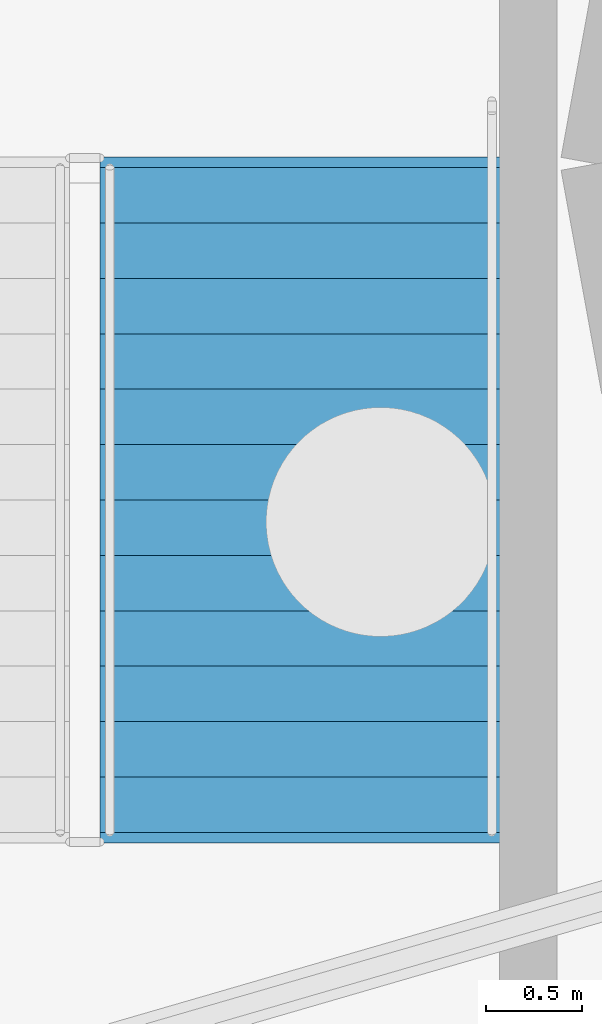
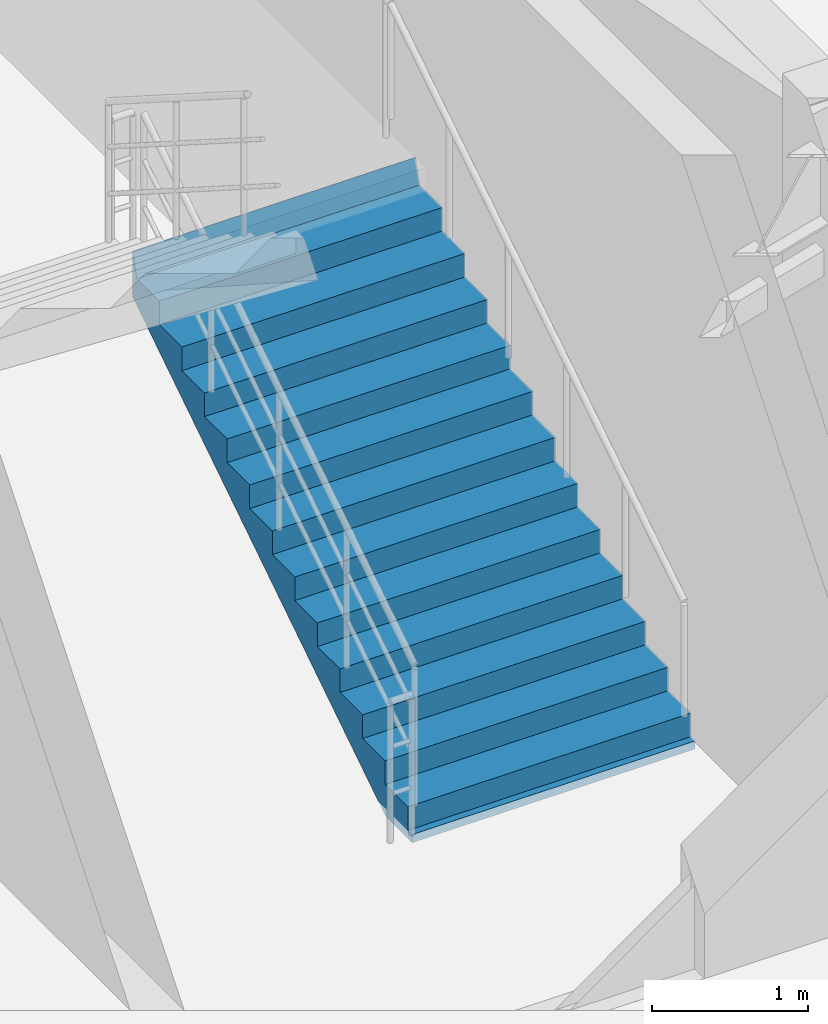
# One storey, part 49 of 68: 1 stair flight, 1 element without a shape of its own.
"""IFC4 building model written with IfcOpenShell, lengths in metres."""

from ifc_helpers import new_model, si_unit, direction, frame, origin, place, context, subcontext, project, spatial, polyline, outline, extrude, material, type_object, element, aggregate, save


model = new_model("IFC4")

# Units and contexts
model_context = context("Model", 3, precision=1e-05, world=origin(), true_north=direction((0.0, 1.0)))
body_context = subcontext(model_context, "Body", "Model", "MODEL_VIEW")
ifc_project = project(units=[si_unit("LENGTHUNIT", "METRE"), si_unit("AREAUNIT", "SQUARE_METRE"), si_unit("VOLUMEUNIT", "CUBIC_METRE"), si_unit("PLANEANGLEUNIT", "RADIAN"), si_unit("MASSUNIT", "GRAM", prefix="KILO")], contexts=[model_context])

# Site, building, storey
site_placement = place(None, origin())
site = spatial("IfcSite", under=ifc_project, at=site_placement, CompositionType="ELEMENT")
building_placement = place(site_placement, origin())
building = spatial("IfcBuilding", under=site, at=building_placement, Name="Cinderbank Siding Concert Hall", CompositionType="ELEMENT")
storey_placement = place(building_placement, frame((0.0, 0.0, -4.800048828125)))
storey = spatial("IfcBuildingStorey", under=building, at=storey_placement, Name="B1", CompositionType="ELEMENT", Elevation=-4.800048828125)

# Stair, stair flight
ifc_material = material(Name="Reinforced concrete AS 3600 N50 (50 MPa)", Category="concrete")
stair_type = type_object("IfcStairType", Name="STR-D Dogleg Exit Stair 2100mm", PredefinedType="HALF_TURN_STAIR", material=ifc_material)
stair_placement = place(storey_placement, origin())
stair = element("IfcStair", 1, at=stair_placement, inside=storey, type_object=stair_type, Name="B1 West Drum Exit Stair ST-04", PredefinedType="HALF_TURN_STAIR")
stair_flight_type = type_object("IfcStairFlightType", Name="SFL-D Concrete Stair Flight 2100mm", PredefinedType="STRAIGHT", material=ifc_material)
stair_flight_placement = place(storey_placement, frame((100.85009765625, 40.5, 0.0), z_axis=(0.0, 0.0, 1.0), x_axis=(0.0, 1.0, 0.0)))
stair_flight = element("IfcStairFlight", 2, at=stair_flight_placement, type_object=stair_flight_type, Name="ST-04 flight 1", NumberOfRisers=13, NumberOfTreads=12, PredefinedType="STRAIGHT", RiserHeight=0.184615385, TreadLength=0.29, context=body_context, shape_type="SweptSolid", body=[
    extrude(outline(polyline([(0.0, 0.0), (0.0, 0.1845703125), (0.2900390625, 0.1845703125), (0.2900390625, 0.369140625), (0.580078125, 0.369140625), (0.580078125, 0.553955078125), (0.8701171875, 0.553955078125), (0.8701171875, 0.738525390625), (1.159912109375, 0.738525390625), (1.159912109375, 0.923095703125), (1.449951171875, 0.923095703125), (1.449951171875, 1.107666015625), (1.739990234375, 1.107666015625), (1.739990234375, 1.292236328125), (2.030029296875, 1.292236328125), (2.030029296875, 1.476806640625), (2.320068359375, 1.476806640625), (2.320068359375, 1.66162109375), (2.610107421875, 1.66162109375), (2.610107421875, 1.84619140625), (2.89990234375, 1.84619140625), (2.89990234375, 2.03076171875), (3.18994140625, 2.03076171875), (3.18994140625, 2.21533203125), (3.47998046875, 2.21533203125), (3.534912109375, 2.39990234375), (3.534912109375, 2.03759765625), (3.53466796875, 2.037841796875), (3.53466796875, 2.0380859375), (3.53466796875, 2.038330078125), (3.53466796875, 2.03857421875), (3.53466796875, 2.038818359375), (3.53466796875, 2.0390625), (3.53466796875, 2.039306640625), (3.53466796875, 2.03955078125), (3.53466796875, 2.039794921875), (3.53466796875, 2.0400390625), (3.53466796875, 2.040283203125), (3.53466796875, 2.04052734375), (3.534423828125, 2.04052734375), (3.534423828125, 2.040283203125), (3.534423828125, 2.0400390625), (3.534423828125, 2.039794921875), (3.534423828125, 2.03955078125), (3.534423828125, 2.039306640625), (3.534423828125, 2.0390625), (3.534423828125, 2.038818359375), (3.534423828125, 2.03857421875), (3.534423828125, 2.038330078125), (3.534423828125, 2.0380859375), (3.534423828125, 2.037841796875), (3.534423828125, 2.03759765625), (3.5341796875, 2.037841796875), (3.5341796875, 2.0380859375), (3.5341796875, 2.038330078125), (3.5341796875, 2.03857421875), (3.5341796875, 2.038818359375), (3.5341796875, 2.0390625), (3.5341796875, 2.039306640625), (3.5341796875, 2.03955078125), (3.5341796875, 2.039794921875), (3.5341796875, 2.0400390625), (3.5341796875, 2.040283203125), (3.5341796875, 2.04052734375), (3.533935546875, 2.04052734375), (3.533935546875, 2.040283203125), (3.533935546875, 2.0400390625), (3.533935546875, 2.039794921875), (3.533935546875, 2.03955078125), (3.533935546875, 2.039306640625), (3.533935546875, 2.0390625), (3.533935546875, 2.038818359375), (3.533935546875, 2.03857421875), (3.533935546875, 2.038330078125), (3.533935546875, 2.0380859375), (3.533935546875, 2.037841796875), (3.533935546875, 2.03759765625), (3.53369140625, 2.037841796875), (3.53369140625, 2.0380859375), (3.53369140625, 2.038330078125), (3.53369140625, 2.03857421875), (3.53369140625, 2.038818359375), (3.53369140625, 2.0390625), (3.53369140625, 2.039306640625), (3.53369140625, 2.03955078125), (3.53369140625, 2.039794921875), (3.53369140625, 2.0400390625), (3.53369140625, 2.040283203125), (3.53369140625, 2.04052734375), (3.533447265625, 2.04052734375), (3.533447265625, 2.040283203125), (3.533447265625, 2.0400390625), (3.533447265625, 2.039794921875), (3.533447265625, 2.03955078125), (3.533447265625, 2.039306640625), (3.533447265625, 2.0390625), (3.533447265625, 2.038818359375), (3.533447265625, 2.03857421875), (3.533447265625, 2.038330078125), (3.533447265625, 2.0380859375), (3.533447265625, 2.037841796875), (3.533447265625, 2.03759765625), (3.533203125, 2.037841796875), (3.533203125, 2.0380859375), (3.533203125, 2.038330078125), (3.533203125, 2.03857421875), (3.533203125, 2.038818359375), (3.533203125, 2.0390625), (3.533203125, 2.039306640625), (3.533203125, 2.03955078125), (3.533203125, 2.039794921875), (3.533203125, 2.0400390625), (3.533203125, 2.040283203125), (3.533203125, 2.04052734375), (3.532958984375, 2.04052734375), (3.532958984375, 2.040283203125), (3.532958984375, 2.0400390625), (3.532958984375, 2.039794921875), (3.532958984375, 2.03955078125), (3.532958984375, 2.039306640625), (3.532958984375, 2.0390625), (3.532958984375, 2.038818359375), (3.532958984375, 2.03857421875), (3.532958984375, 2.038330078125), (3.532958984375, 2.0380859375), (3.532958984375, 2.037841796875), (3.532958984375, 2.03759765625), (3.53271484375, 2.037841796875), (3.53271484375, 2.0380859375), (3.53271484375, 2.038330078125), (3.53271484375, 2.03857421875), (3.53271484375, 2.038818359375), (3.53271484375, 2.0390625), (3.53271484375, 2.039306640625), (3.53271484375, 2.03955078125), (3.53271484375, 2.039794921875), (3.53271484375, 2.0400390625), (3.53271484375, 2.040283203125), (3.53271484375, 2.04052734375), (3.532470703125, 2.04052734375), (3.532470703125, 2.040283203125), (3.532470703125, 2.0400390625), (3.532470703125, 2.039794921875), (3.532470703125, 2.03955078125), (3.532470703125, 2.039306640625), (3.532470703125, 2.0390625), (3.532470703125, 2.038818359375), (3.532470703125, 2.03857421875), (3.532470703125, 2.038330078125), (3.532470703125, 2.0380859375), (3.532470703125, 2.037841796875), (3.532470703125, 2.03759765625), (3.5322265625, 2.037841796875), (3.5322265625, 2.0380859375), (3.5322265625, 2.038330078125), (3.5322265625, 2.03857421875), (3.5322265625, 2.038818359375), (3.5322265625, 2.0390625), (3.5322265625, 2.039306640625), (3.5322265625, 2.03955078125), (3.5322265625, 2.039794921875), (3.5322265625, 2.0400390625), (3.5322265625, 2.040283203125), (3.5322265625, 2.04052734375), (3.531982421875, 2.04052734375), (3.531982421875, 2.040283203125), (3.531982421875, 2.0400390625), (3.531982421875, 2.039794921875), (3.531982421875, 2.03955078125), (3.531982421875, 2.039306640625), (3.531982421875, 2.0390625), (3.531982421875, 2.038818359375), (3.531982421875, 2.03857421875), (3.531982421875, 2.038330078125), (3.531982421875, 2.0380859375), (3.531982421875, 2.037841796875), (3.531982421875, 2.03759765625), (3.53173828125, 2.037841796875), (3.53173828125, 2.0380859375), (3.53173828125, 2.038330078125), (3.53173828125, 2.03857421875), (3.53173828125, 2.038818359375), (3.53173828125, 2.0390625), (3.53173828125, 2.039306640625), (3.53173828125, 2.03955078125), (3.53173828125, 2.039794921875), (3.53173828125, 2.0400390625), (3.53173828125, 2.040283203125), (3.53173828125, 2.04052734375), (3.531494140625, 2.04052734375), (3.531494140625, 2.040283203125), (3.531494140625, 2.0400390625), (3.531494140625, 2.039794921875), (3.531494140625, 2.03955078125), (3.531494140625, 2.039306640625), (3.531494140625, 2.0390625), (3.531494140625, 2.038818359375), (3.531494140625, 2.03857421875), (3.531494140625, 2.038330078125), (3.531494140625, 2.0380859375), (3.531494140625, 2.037841796875), (3.531494140625, 2.03759765625), (3.53125, 2.037841796875), (3.53125, 2.0380859375), (3.53125, 2.038330078125), (3.53125, 2.03857421875), (3.53125, 2.038818359375), (3.53125, 2.0390625), (3.53125, 2.039306640625), (3.53125, 2.03955078125), (3.53125, 2.039794921875), (3.53125, 2.0400390625), (3.53125, 2.040283203125), (3.53125, 2.04052734375), (3.531005859375, 2.04052734375), (3.531005859375, 2.040283203125), (3.531005859375, 2.0400390625), (3.531005859375, 2.039794921875), (3.531005859375, 2.03955078125), (3.531005859375, 2.039306640625), (3.531005859375, 2.0390625), (3.531005859375, 2.038818359375), (3.531005859375, 2.03857421875), (3.531005859375, 2.038330078125), (3.531005859375, 2.0380859375), (3.531005859375, 2.037841796875), (3.531005859375, 2.03759765625), (3.53076171875, 2.037841796875), (3.53076171875, 2.0380859375), (3.53076171875, 2.038330078125), (3.53076171875, 2.03857421875), (3.53076171875, 2.038818359375), (3.53076171875, 2.0390625), (3.53076171875, 2.039306640625), (3.53076171875, 2.03955078125), (3.53076171875, 2.039794921875), (3.53076171875, 2.0400390625), (3.53076171875, 2.040283203125), (3.53076171875, 2.04052734375), (3.530517578125, 2.04052734375), (3.530517578125, 2.040283203125), (3.530517578125, 2.0400390625), (3.530517578125, 2.039794921875), (3.530517578125, 2.03955078125), (3.530517578125, 2.039306640625), (3.530517578125, 2.0390625), (3.530517578125, 2.038818359375), (3.530517578125, 2.03857421875), (3.530517578125, 2.038330078125), (3.530517578125, 2.0380859375), (3.530517578125, 2.037841796875), (3.530517578125, 2.03759765625), (3.5302734375, 2.037841796875), (3.5302734375, 2.0380859375), (3.5302734375, 2.038330078125), (3.5302734375, 2.03857421875), (3.5302734375, 2.038818359375), (3.5302734375, 2.0390625), (3.5302734375, 2.039306640625), (3.5302734375, 2.03955078125), (3.5302734375, 2.039794921875), (3.5302734375, 2.0400390625), (3.5302734375, 2.040283203125), (3.5302734375, 2.04052734375), (3.530029296875, 2.04052734375), (3.530029296875, 2.040283203125), (3.530029296875, 2.0400390625), (3.530029296875, 2.039794921875), (3.530029296875, 2.03955078125), (3.530029296875, 2.039306640625), (3.530029296875, 2.0390625), (3.530029296875, 2.038818359375), (3.530029296875, 2.03857421875), (3.530029296875, 2.038330078125), (3.530029296875, 2.0380859375), (3.530029296875, 2.037841796875), (3.530029296875, 2.03759765625), (3.52978515625, 2.037841796875), (3.52978515625, 2.0380859375), (3.52978515625, 2.038330078125), (3.52978515625, 2.03857421875), (3.52978515625, 2.038818359375), (3.52978515625, 2.0390625), (3.52978515625, 2.039306640625), (3.52978515625, 2.03955078125), (3.52978515625, 2.039794921875), (3.52978515625, 2.0400390625), (3.52978515625, 2.040283203125), (3.52978515625, 2.04052734375), (3.529541015625, 2.04052734375), (3.529541015625, 2.040283203125), (3.529541015625, 2.0400390625), (3.529541015625, 2.039794921875), (3.529541015625, 2.03955078125), (3.529541015625, 2.039306640625), (3.529541015625, 2.0390625), (3.529541015625, 2.038818359375), (3.529541015625, 2.03857421875), (3.529541015625, 2.038330078125), (3.529541015625, 2.0380859375), (3.529541015625, 2.037841796875), (3.529541015625, 2.03759765625), (3.529296875, 2.037841796875), (3.529296875, 2.0380859375), (3.529296875, 2.038330078125), (3.529296875, 2.03857421875), (3.529296875, 2.038818359375), (3.529296875, 2.0390625), (3.529296875, 2.039306640625), (3.529296875, 2.03955078125), (3.529296875, 2.039794921875), (3.529296875, 2.0400390625), (3.529296875, 2.040283203125), (3.529296875, 2.04052734375), (3.529052734375, 2.04052734375), (3.529052734375, 2.040283203125), (3.529052734375, 2.0400390625), (3.529052734375, 2.039794921875), (3.529052734375, 2.03955078125), (3.529052734375, 2.039306640625), (3.529052734375, 2.0390625), (3.529052734375, 2.038818359375), (3.529052734375, 2.03857421875), (3.529052734375, 2.038330078125), (3.529052734375, 2.0380859375), (3.529052734375, 2.037841796875), (3.529052734375, 2.03759765625), (3.52880859375, 2.037841796875), (3.52880859375, 2.0380859375), (3.52880859375, 2.038330078125), (3.52880859375, 2.03857421875), (3.52880859375, 2.038818359375), (3.52880859375, 2.0390625), (3.52880859375, 2.039306640625), (3.52880859375, 2.03955078125), (3.52880859375, 2.039794921875), (3.52880859375, 2.0400390625), (3.52880859375, 2.040283203125), (3.52880859375, 2.04052734375), (3.528564453125, 2.04052734375), (3.528564453125, 2.040283203125), (3.528564453125, 2.0400390625), (3.528564453125, 2.039794921875), (3.528564453125, 2.03955078125), (3.528564453125, 2.039306640625), (3.528564453125, 2.0390625), (3.528564453125, 2.038818359375), (3.528564453125, 2.03857421875), (3.528564453125, 2.038330078125), (3.528564453125, 2.0380859375), (3.528564453125, 2.037841796875), (3.528564453125, 2.03759765625), (0.279052734375, -0.06396484375), (-0.048583984375, -0.063720703125), (-0.048583984375, -0.0634765625), (-0.048583984375, -0.063232421875), (-0.048583984375, -0.06298828125), (-0.048583984375, -0.062744140625), (-0.048583984375, -0.0625), (-0.048583984375, -0.062255859375), (-0.048583984375, -0.06201171875), (-0.048583984375, -0.061767578125), (-0.048583984375, -0.0615234375), (-0.048583984375, -0.061279296875), (-0.048583984375, -0.06103515625), (-0.048828125, -0.06103515625), (-0.048828125, -0.061279296875), (-0.048828125, -0.0615234375), (-0.048828125, -0.061767578125), (-0.048828125, -0.06201171875), (-0.048828125, -0.062255859375), (-0.048828125, -0.0625), (-0.048828125, -0.062744140625), (-0.048828125, -0.06298828125), (-0.048828125, -0.063232421875), (-0.048828125, -0.0634765625), (-0.048828125, -0.063720703125), (-0.048828125, -0.06396484375), (-0.049072265625, -0.063720703125), (-0.049072265625, -0.0634765625), (-0.049072265625, -0.063232421875), (-0.049072265625, -0.06298828125), (-0.049072265625, -0.062744140625), (-0.049072265625, -0.0625), (-0.049072265625, -0.062255859375), (-0.049072265625, -0.06201171875), (-0.049072265625, -0.061767578125), (-0.049072265625, -0.0615234375), (-0.049072265625, -0.061279296875), (-0.049072265625, -0.06103515625), (-0.04931640625, -0.06103515625), (-0.04931640625, -0.061279296875), (-0.04931640625, -0.0615234375), (-0.04931640625, -0.061767578125), (-0.04931640625, -0.06201171875), (-0.04931640625, -0.062255859375), (-0.04931640625, -0.0625), (-0.04931640625, -0.062744140625), (-0.04931640625, -0.06298828125), (-0.04931640625, -0.063232421875), (-0.04931640625, -0.0634765625), (-0.04931640625, -0.063720703125), (-0.04931640625, -0.06396484375), (-0.049560546875, -0.063720703125), (-0.049560546875, -0.0634765625), (-0.049560546875, -0.063232421875), (-0.049560546875, -0.06298828125), (-0.049560546875, -0.062744140625), (-0.049560546875, -0.0625), (-0.049560546875, -0.062255859375), (-0.049560546875, -0.06201171875), (-0.049560546875, -0.061767578125), (-0.049560546875, -0.0615234375), (-0.049560546875, -0.061279296875), (-0.049560546875, -0.06103515625), (-0.0498046875, -0.06103515625), (-0.0498046875, -0.061279296875), (-0.0498046875, -0.0615234375), (-0.0498046875, -0.061767578125), (-0.0498046875, -0.06201171875), (-0.0498046875, -0.062255859375), (-0.0498046875, -0.0625), (-0.0498046875, -0.062744140625), (-0.0498046875, -0.06298828125), (-0.0498046875, -0.063232421875), (-0.0498046875, -0.0634765625), (-0.0498046875, -0.063720703125), (-0.0498046875, -0.06396484375), (-0.050048828125, -0.063720703125), (-0.050048828125, -0.0634765625), (-0.050048828125, -0.063232421875), (-0.050048828125, -0.06298828125), (-0.050048828125, -0.062744140625), (-0.050048828125, -0.0625), (-0.050048828125, -0.062255859375), (-0.050048828125, -0.06201171875), (-0.050048828125, -0.061767578125), (-0.050048828125, -0.0615234375), (-0.050048828125, -0.061279296875), (-0.050048828125, -0.06103515625), (-0.05029296875, -0.06103515625), (-0.05029296875, -0.061279296875), (-0.05029296875, -0.0615234375), (-0.05029296875, -0.061767578125), (-0.05029296875, -0.06201171875), (-0.05029296875, -0.062255859375), (-0.05029296875, -0.0625), (-0.05029296875, -0.062744140625), (-0.05029296875, -0.06298828125), (-0.05029296875, -0.063232421875), (-0.05029296875, -0.0634765625), (-0.05029296875, -0.063720703125), (-0.05029296875, -0.06396484375), (-0.050537109375, -0.063720703125), (-0.050537109375, -0.0634765625), (-0.050537109375, -0.063232421875), (-0.050537109375, -0.06298828125), (-0.050537109375, -0.062744140625), (-0.050537109375, -0.0625), (-0.050537109375, -0.062255859375), (-0.050537109375, -0.06201171875), (-0.050537109375, -0.061767578125), (-0.050537109375, -0.0615234375), (-0.050537109375, -0.061279296875), (-0.050537109375, -0.06103515625), (-0.05078125, -0.06103515625), (-0.05078125, -0.061279296875), (-0.05078125, -0.0615234375), (-0.05078125, -0.061767578125), (-0.05078125, -0.06201171875), (-0.05078125, -0.062255859375), (-0.05078125, -0.0625), (-0.05078125, -0.062744140625), (-0.05078125, -0.06298828125), (-0.05078125, -0.063232421875), (-0.05078125, -0.0634765625), (-0.05078125, -0.063720703125), (-0.05078125, -0.06396484375), (-0.051025390625, -0.063720703125), (-0.051025390625, -0.0634765625), (-0.051025390625, -0.063232421875), (-0.051025390625, -0.06298828125), (-0.051025390625, -0.062744140625), (-0.051025390625, -0.0625), (-0.051025390625, -0.062255859375), (-0.051025390625, -0.06201171875), (-0.051025390625, -0.061767578125), (-0.051025390625, -0.0615234375), (-0.051025390625, -0.061279296875), (-0.051025390625, -0.06103515625), (-0.05126953125, -0.06103515625), (-0.05126953125, -0.061279296875), (-0.05126953125, -0.0615234375), (-0.05126953125, -0.061767578125), (-0.05126953125, -0.06201171875), (-0.05126953125, -0.062255859375), (-0.05126953125, -0.0625), (-0.05126953125, -0.062744140625), (-0.05126953125, -0.06298828125), (-0.05126953125, -0.063232421875), (-0.05126953125, -0.0634765625), (-0.05126953125, -0.063720703125), (-0.05126953125, -0.06396484375), (-0.051513671875, -0.063720703125), (-0.051513671875, -0.0634765625), (-0.051513671875, -0.063232421875), (-0.051513671875, -0.06298828125), (-0.051513671875, -0.062744140625), (-0.051513671875, -0.0625), (-0.051513671875, -0.062255859375), (-0.051513671875, -0.06201171875), (-0.051513671875, -0.061767578125), (-0.051513671875, -0.0615234375), (-0.051513671875, -0.061279296875), (-0.051513671875, -0.06103515625), (-0.0517578125, -0.06103515625), (-0.0517578125, -0.061279296875), (-0.0517578125, -0.0615234375), (-0.0517578125, -0.061767578125), (-0.0517578125, -0.06201171875), (-0.0517578125, -0.062255859375), (-0.0517578125, -0.0625), (-0.0517578125, -0.062744140625), (-0.0517578125, -0.06298828125), (-0.0517578125, -0.063232421875), (-0.0517578125, -0.0634765625), (-0.0517578125, -0.063720703125), (-0.0517578125, -0.06396484375), (-0.052001953125, -0.063720703125), (-0.052001953125, -0.0634765625), (-0.052001953125, -0.063232421875), (-0.052001953125, -0.06298828125), (-0.052001953125, -0.062744140625), (-0.052001953125, -0.0625), (-0.052001953125, -0.062255859375), (-0.052001953125, -0.06201171875), (-0.052001953125, -0.061767578125), (-0.052001953125, -0.0615234375), (-0.052001953125, -0.061279296875), (-0.052001953125, -0.06103515625), (-0.05224609375, -0.06103515625), (-0.05224609375, -0.061279296875), (-0.05224609375, -0.0615234375), (-0.05224609375, -0.061767578125), (-0.05224609375, -0.06201171875), (-0.05224609375, -0.062255859375), (-0.05224609375, -0.0625), (-0.05224609375, -0.062744140625), (-0.05224609375, -0.06298828125), (-0.05224609375, -0.063232421875), (-0.05224609375, -0.0634765625), (-0.05224609375, -0.063720703125), (-0.05224609375, -0.06396484375), (-0.052490234375, -0.063720703125), (-0.052490234375, -0.0634765625), (-0.052490234375, -0.063232421875), (-0.052490234375, -0.06298828125), (-0.052490234375, -0.062744140625), (-0.052490234375, -0.0625), (-0.052490234375, -0.062255859375), (-0.052490234375, -0.06201171875), (-0.052490234375, -0.061767578125), (-0.052490234375, -0.0615234375), (-0.052490234375, -0.061279296875), (-0.052490234375, -0.06103515625), (-0.052734375, -0.06103515625), (-0.052734375, -0.061279296875), (-0.052734375, -0.0615234375), (-0.052734375, -0.061767578125), (-0.052734375, -0.06201171875), (-0.052734375, -0.062255859375), (-0.052734375, -0.0625), (-0.052734375, -0.062744140625), (-0.052734375, -0.06298828125), (-0.052734375, -0.063232421875), (-0.052734375, -0.0634765625), (-0.052734375, -0.063720703125), (-0.052734375, -0.06396484375), (-0.052978515625, -0.063720703125), (-0.052978515625, -0.0634765625), (-0.052978515625, -0.063232421875), (-0.052978515625, -0.06298828125), (-0.052978515625, -0.062744140625), (-0.052978515625, -0.0625), (-0.052978515625, -0.062255859375), (-0.052978515625, -0.06201171875), (-0.052978515625, -0.061767578125), (-0.052978515625, -0.0615234375), (-0.052978515625, -0.061279296875), (-0.052978515625, -0.06103515625), (-0.05322265625, -0.06103515625), (-0.05322265625, -0.061279296875), (-0.05322265625, -0.0615234375), (-0.05322265625, -0.061767578125), (-0.05322265625, -0.06201171875), (-0.05322265625, -0.062255859375), (-0.05322265625, -0.0625), (-0.05322265625, -0.062744140625), (-0.05322265625, -0.06298828125), (-0.05322265625, -0.063232421875), (-0.05322265625, -0.0634765625), (-0.05322265625, -0.063720703125), (-0.05322265625, -0.06396484375), (-0.053466796875, -0.063720703125), (-0.053466796875, -0.0634765625), (-0.053466796875, -0.063232421875), (-0.053466796875, -0.06298828125), (-0.053466796875, -0.062744140625), (-0.053466796875, -0.0625), (-0.053466796875, -0.062255859375), (-0.053466796875, -0.06201171875), (-0.053466796875, -0.061767578125), (-0.053466796875, -0.0615234375), (-0.053466796875, -0.061279296875), (-0.053466796875, -0.06103515625), (-0.0537109375, -0.06103515625), (-0.0537109375, -0.061279296875), (-0.0537109375, -0.0615234375), (-0.0537109375, -0.061767578125), (-0.0537109375, -0.06201171875), (-0.0537109375, -0.062255859375), (-0.0537109375, -0.0625), (-0.0537109375, -0.062744140625), (-0.0537109375, -0.06298828125), (-0.0537109375, -0.063232421875), (-0.0537109375, -0.0634765625), (-0.0537109375, -0.063720703125), (-0.0537109375, -0.06396484375), (-0.053955078125, -0.063720703125), (-0.053955078125, -0.0634765625), (-0.053955078125, -0.063232421875), (-0.053955078125, -0.06298828125), (-0.053955078125, -0.062744140625), (-0.053955078125, -0.0625), (-0.053955078125, -0.062255859375), (-0.053955078125, -0.06201171875), (-0.053955078125, -0.061767578125), (-0.053955078125, -0.0615234375), (-0.053955078125, -0.061279296875), (-0.053955078125, -0.06103515625), (-0.05419921875, -0.06103515625), (-0.05419921875, -0.061279296875), (-0.05419921875, -0.0615234375), (-0.05419921875, -0.061767578125), (-0.05419921875, -0.06201171875), (-0.05419921875, -0.062255859375), (-0.05419921875, -0.0625), (-0.05419921875, -0.062744140625), (-0.05419921875, -0.06298828125), (-0.05419921875, -0.063232421875), (-0.05419921875, -0.0634765625), (-0.05419921875, -0.063720703125), (-0.05419921875, -0.06396484375), (-0.054443359375, -0.063720703125), (-0.054443359375, -0.0634765625), (-0.054443359375, -0.063232421875), (-0.054443359375, -0.06298828125), (-0.054443359375, -0.062744140625), (-0.054443359375, -0.0625), (-0.054443359375, -0.062255859375), (-0.054443359375, -0.06201171875), (-0.054443359375, -0.061767578125), (-0.054443359375, -0.0615234375), (-0.054443359375, -0.061279296875), (-0.054443359375, -0.06103515625), (-0.0546875, -0.06103515625), (-0.0546875, -0.061279296875), (-0.0546875, -0.0615234375), (-0.0546875, -0.061767578125), (-0.0546875, -0.06201171875), (-0.0546875, -0.062255859375), (-0.0546875, -0.0625), (-0.0546875, -0.062744140625), (-0.0546875, -0.06298828125), (-0.0546875, -0.063232421875), (-0.0546875, -0.0634765625), (-0.0546875, -0.063720703125), (-0.0546875, -0.06396484375), (-0.054931640625, -0.06396484375), (-0.054931640625, 0.0), (0.0, 0.0)])), frame((0.0, 1.050048828125, 0.0), z_axis=(0.0, -1.0, 0.0), x_axis=(1.0, 0.0, 0.0)), (0.0, 0.0, 1.0), 2.10009765625),
])
aggregate(stair, [stair_flight])

save(model, "model.ifc")
